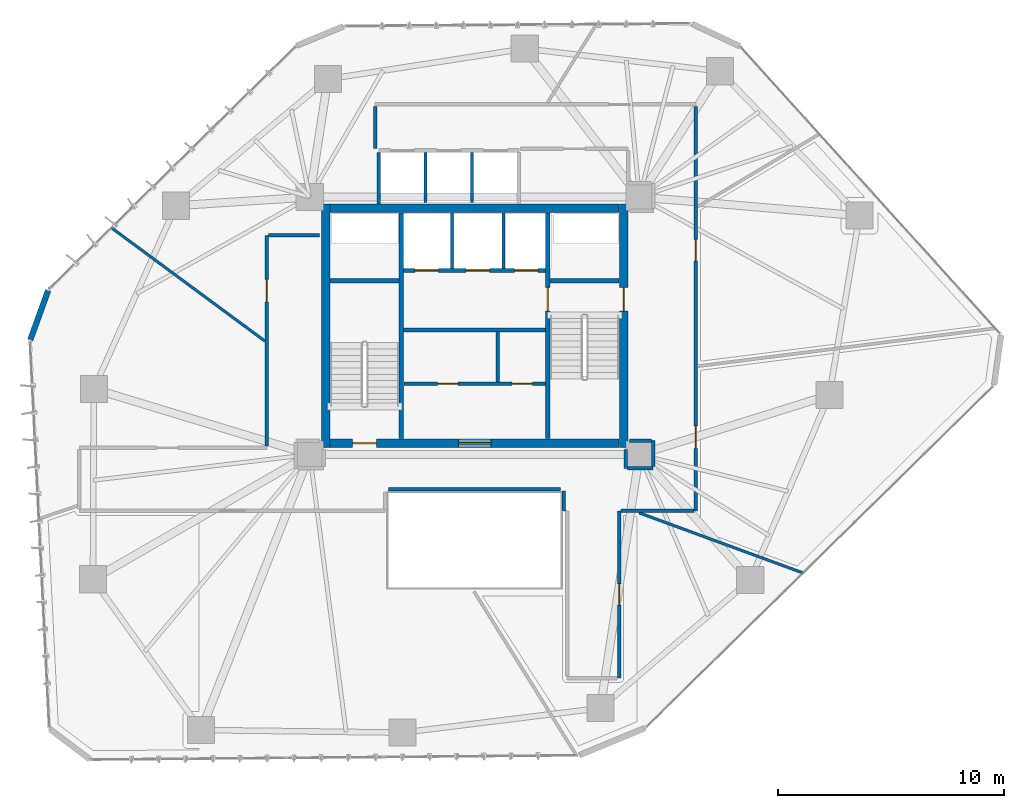
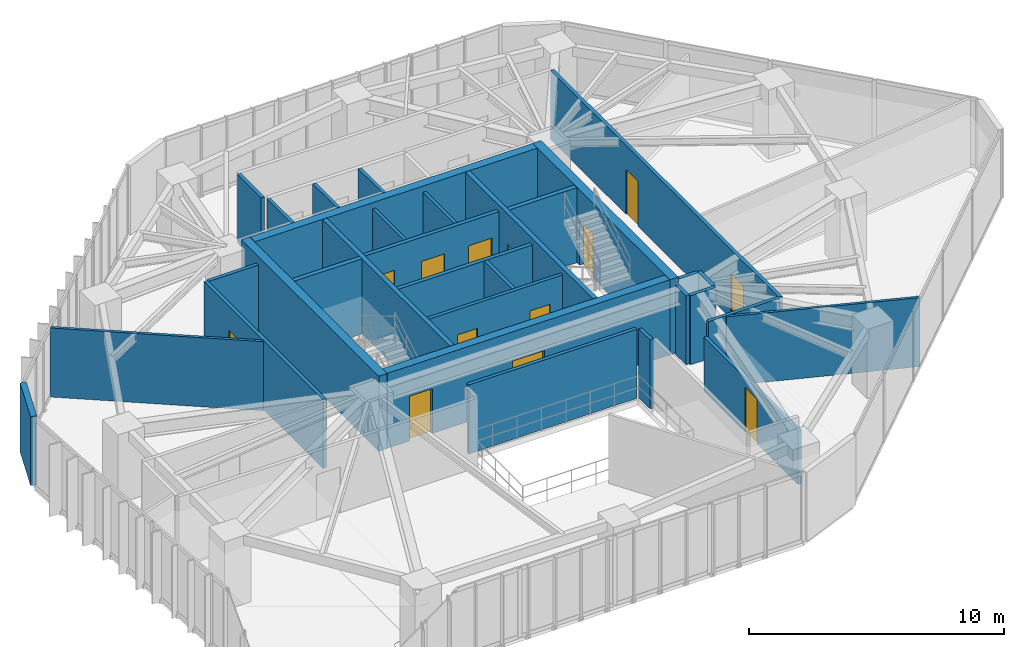
# One storey, part 18 of 21: 32 walls, 13 doors, 13 openings.
"""IFC4 building model written with IfcOpenShell, lengths in metres."""

from ifc_helpers import new_model, si_unit, direction, frame, frame_2d, origin, place, context, subcontext, project, spatial, rectangle, extrude, source, transform, mapped, material, layer, layer_set, type_object, type_shapes, element, fill, save


model = new_model("IFC4")

# Units and contexts
model_context = context("Model", 3, precision=1e-05, world=origin(), true_north=direction((0.0, 1.0)))
body_context = subcontext(model_context, "Body", "Model", "MODEL_VIEW")
ifc_project = project(units=[si_unit("LENGTHUNIT", "METRE"), si_unit("AREAUNIT", "SQUARE_METRE"), si_unit("VOLUMEUNIT", "CUBIC_METRE"), si_unit("PLANEANGLEUNIT", "RADIAN"), si_unit("MASSUNIT", "GRAM", prefix="KILO")], contexts=[model_context])

# Site, building, storey
site_placement = place(None, origin())
site = spatial("IfcSite", under=ifc_project, at=site_placement, CompositionType="ELEMENT")
building_placement = place(site_placement, origin())
building = spatial("IfcBuilding", under=site, at=building_placement, Name="Talar Marvaseh", CompositionType="ELEMENT")
storey_placement = place(building_placement, frame((0.0, 0.0, 93.0)))
storey = spatial("IfcBuildingStorey", under=building, at=storey_placement, Name="L23", CompositionType="ELEMENT", Elevation=93.0)

# Wall
ifc_material_1 = material(Name="Precast concrete C45/55", Category="concrete")
ifc_layer_1 = layer(ifc_material_1, 0.2548828125)
ifc_layer_set_1 = layer_set([ifc_layer_1], Name="Precast concrete C45/55")
wall_type_1 = type_object("IfcWallType", Name="Chamfered Hexagonal Corner Pier Wall Z2 255", PredefinedType="SOLIDWALL", material=ifc_layer_set_1)
wall_1_placement = place(storey_placement, frame((6.320556640625, 30.56884765625, 0.0), z_axis=(0.0, 0.0, 1.0), x_axis=(0.339908435663, 0.940458534634, 0.0)))
element("IfcWall", 1, at=wall_1_placement, inside=storey, type_object=wall_type_1, Name="L23 Chamfered Corner Limestone Pier 2", PredefinedType="SOLIDWALL", context=body_context, shape_type="SweptSolid", body=[
    extrude(rectangle(XDim=2.3408203125, YDim=0.2548828125, at=frame_2d((1.17041015625, 0.0))), origin(), (0.0, 0.0, 1.0), 3.31005859375),
])

# Wall, openings, doors
ifc_material_2 = material(Name="Gypsum Board Partition Assembly")
ifc_layer_2 = layer(ifc_material_2, 0.155029296875)
ifc_layer_set_2 = layer_set([ifc_layer_2], Name="Gypsum Board Partition Assembly")
wall_type_2 = type_object("IfcWallType", Name="Corridor Fire-Rated Acoustic Partition 155", PredefinedType="PARTITIONING", material=ifc_layer_set_2)
wall_2_placement = place(storey_placement, frame((22.865966796875, 28.639892578125, 0.0), z_axis=(0.0, 0.0, 1.0), x_axis=(1.0, 0.0, 0.0)))
wall_2 = element("IfcWall", 2, at=wall_2_placement, inside=storey, type_object=wall_type_2, Name="L23 Core BOH Partition", PredefinedType="PARTITIONING", context=body_context, shape_type="SweptSolid", body=[
    extrude(rectangle(XDim=6.26806640625, YDim=0.155029296875, at=frame_2d((3.134033203125, 0.0))), origin(), (0.0, 0.0, 1.0), 3.31005859375),
])
opening_1_placement = place(wall_2_placement, frame((1.5, 0.0, 0.0)))
opening_1 = element("IfcOpeningElement", 3, at=opening_1_placement, cuts=wall_2, Name="Opening DR-BOH090", PredefinedType="OPENING", context=body_context, shape_type="SweptSolid", body=[
    extrude(rectangle(XDim=0.89990234375, YDim=2.10009765625, at=frame_2d((0.449951171875, 1.050048828125))), frame((0.0, 0.08740234375, 0.0), z_axis=(0.0, -1.0, 0.0), x_axis=(1.0, 0.0, 0.0)), (0.0, 0.0, 1.0), 0.175048828125),
])
opening_2_placement = place(wall_2_placement, frame((4.800048828125, 0.0, 0.0)))
opening_2 = element("IfcOpeningElement", 4, at=opening_2_placement, cuts=wall_2, Name="Opening DR-BOH090", PredefinedType="OPENING", context=body_context, shape_type="SweptSolid", body=[
    extrude(rectangle(XDim=0.89990234375, YDim=2.10009765625, at=frame_2d((0.449951171875, 1.050048828125))), frame((0.0, 0.08740234375, 0.0), z_axis=(0.0, -1.0, 0.0), x_axis=(1.0, 0.0, 0.0)), (0.0, 0.0, 1.0), 0.175048828125),
])
ifc_material_3 = material(Name="Fire-Rated Steel Door Leaf", Category="steel")
door_type_1 = type_object("IfcDoorType", Name="Core Back-of-House Service Door 900x2100", OperationType="NOTDEFINED", PredefinedType="DOOR", material=ifc_material_3)
shared_shape_1 = source(origin(), body_context, "Body", "SweptSolid", [
    extrude(rectangle(XDim=0.89990234375, YDim=2.10009765625, at=frame_2d((0.449951171875, 1.050048828125))), frame((0.0, 0.02490234375, 0.0), z_axis=(0.0, -1.0, 0.0), x_axis=(1.0, 0.0, 0.0)), (0.0, 0.0, 1.0), 0.050048828125),
])
type_shapes(door_type_1, [shared_shape_1])
door_1_placement = place(opening_1_placement, origin())
door_1 = element("IfcDoor", 5, at=door_1_placement, inside=storey, type_object=door_type_1, Name="L23 Plant Core Comms Switch Room Door", OperationType="SINGLE_SWING_LEFT", OverallHeight=2.10009765625, OverallWidth=0.89990234375, PredefinedType="DOOR", context=body_context, shape_type="MappedRepresentation", body=[
    mapped(shared_shape_1, transform((0.0, 0.0, 0.0), x_axis=(1.0, 0.0, 0.0), y_axis=(0.0, 1.0, 0.0), z_axis=(0.0, 0.0, 1.0), scale=1.0)),
])
fill(opening_1, door_1)
door_2_placement = place(opening_2_placement, origin())
door_2 = element("IfcDoor", 6, at=door_2_placement, inside=storey, type_object=door_type_1, Name="L23 Cleaner Cupboard Door", OperationType="SINGLE_SWING_RIGHT", OverallHeight=2.10009765625, OverallWidth=0.89990234375, PredefinedType="DOOR", context=body_context, shape_type="MappedRepresentation", body=[
    mapped(shared_shape_1, transform((0.0, 0.0, 0.0), x_axis=(1.0, 0.0, 0.0), y_axis=(0.0, 1.0, 0.0), z_axis=(0.0, 0.0, 1.0), scale=1.0)),
])
fill(opening_2, door_2)

# Wall
wall_3_placement = place(storey_placement, frame((27.02001953125, 28.719970703125, 0.0), z_axis=(0.0, 0.0, 1.0), x_axis=(0.0, 1.0, 0.0)))
element("IfcWall", 7, at=wall_3_placement, inside=storey, type_object=wall_type_2, Name="L23 Core BOH Partition", PredefinedType="PARTITIONING", context=body_context, shape_type="SweptSolid", body=[
    extrude(rectangle(XDim=2.219970703125, YDim=0.155029296875, at=frame_2d((1.10986328125, 0.0))), origin(), (0.0, 0.0, 1.0), 3.31005859375),
])

# Wall, opening, door
wall_4_placement = place(storey_placement, frame((16.800048828125, 25.883544921875, 0.0), z_axis=(0.0, 0.0, 1.0), x_axis=(0.0, 1.0, 0.0)))
wall_4 = element("IfcWall", 8, at=wall_4_placement, inside=storey, type_object=wall_type_2, Name="L23 Interior Partition Wall", PredefinedType="PARTITIONING", context=body_context, shape_type="SweptSolid", body=[
    extrude(rectangle(XDim=9.31640625, YDim=0.155029296875, at=frame_2d((4.658203125, 0.0))), origin(), (0.0, 0.0, 1.0), 3.31005859375),
])
opening_3_placement = place(wall_4_placement, frame((6.374755859375, 0.0, 0.0)))
opening_3 = element("IfcOpeningElement", 9, at=opening_3_placement, cuts=wall_4, Name="Opening DR-RM100", PredefinedType="OPENING", context=body_context, shape_type="SweptSolid", body=[
    extrude(rectangle(XDim=1.0, YDim=2.14990234375, at=frame_2d((0.5, 1.074951171875))), frame((0.0, 0.08740234375, 0.0), z_axis=(0.0, -1.0, 0.0), x_axis=(1.0, 0.0, 0.0)), (0.0, 0.0, 1.0), 0.175048828125),
])
ifc_material_4 = material(Name="Acoustic Engineered Oak Timber", Category="wood")
door_type_2 = type_object("IfcDoorType", Name="Corridor Fire-Rated Gallery Door 1000x2150", OperationType="NOTDEFINED", PredefinedType="DOOR", material=ifc_material_4)
shared_shape_2 = source(origin(), body_context, "Body", "SweptSolid", [
    extrude(rectangle(XDim=1.0, YDim=2.14990234375, at=frame_2d((0.5, 1.074951171875))), frame((0.0, 0.02490234375, 0.0), z_axis=(0.0, -1.0, 0.0), x_axis=(1.0, 0.0, 0.0)), (0.0, 0.0, 1.0), 0.050048828125),
])
type_shapes(door_type_2, [shared_shape_2])
door_3_placement = place(opening_3_placement, origin())
door_3 = element("IfcDoor", 10, at=door_3_placement, inside=storey, type_object=door_type_2, Name="L23 Chamber Recital Salon Door", OperationType="SINGLE_SWING_RIGHT", OverallHeight=2.14990234375, OverallWidth=1.0, PredefinedType="DOOR", context=body_context, shape_type="MappedRepresentation", body=[
    mapped(shared_shape_2, transform((0.0, 0.0, 0.0), x_axis=(1.0, 0.0, 0.0), y_axis=(0.0, 1.0, 0.0), z_axis=(0.0, 0.0, 1.0), scale=1.0)),
])
fill(opening_3, door_3)

# Wall, openings, doors
wall_5_placement = place(storey_placement, frame((35.800048828125, 40.91650390625, 0.0), z_axis=(0.0, 0.0, 1.0), x_axis=(0.0, -1.0, 0.0)))
wall_5 = element("IfcWall", 11, at=wall_5_placement, inside=storey, type_object=wall_type_2, Name="L23 Interior Partition Wall", PredefinedType="PARTITIONING", context=body_context, shape_type="SweptSolid", body=[
    extrude(rectangle(XDim=17.91650390625, YDim=0.155029296875, at=frame_2d((8.958251953125, 0.0))), origin(), (0.0, 0.0, 1.0), 3.31005859375),
])
opening_4_placement = place(wall_5_placement, frame((14.144287109375, 0.0, 0.0)))
opening_4 = element("IfcOpeningElement", 12, at=opening_4_placement, cuts=wall_5, Name="Opening DR-RM100", PredefinedType="OPENING", context=body_context, shape_type="SweptSolid", body=[
    extrude(rectangle(XDim=1.0, YDim=2.14990234375, at=frame_2d((0.5, 1.074951171875))), frame((0.0, 0.08740234375, 0.0), z_axis=(0.0, -1.0, 0.0), x_axis=(1.0, 0.0, 0.0)), (0.0, 0.0, 1.0), 0.175048828125),
])
opening_5_placement = place(wall_5_placement, frame((5.900146484375, 0.0, 0.0)))
opening_5 = element("IfcOpeningElement", 13, at=opening_5_placement, cuts=wall_5, Name="Opening DR-WC095", PredefinedType="OPENING", context=body_context, shape_type="SweptSolid", body=[
    extrude(rectangle(XDim=0.949951171875, YDim=2.14990234375, at=frame_2d((0.47509765625, 1.074951171875))), frame((0.0, 0.08740234375, 0.0), z_axis=(0.0, -1.0, 0.0), x_axis=(1.0, 0.0, 0.0)), (0.0, 0.0, 1.0), 0.175048828125),
])
door_type_3 = type_object("IfcDoorType", Name="Washroom and Service Room Door 950x2150", OperationType="NOTDEFINED", PredefinedType="DOOR", material=ifc_material_4)
shared_shape_3 = source(origin(), body_context, "Body", "SweptSolid", [
    extrude(rectangle(XDim=0.949951171875, YDim=2.14990234375, at=frame_2d((0.47509765625, 1.074951171875))), frame((0.0, 0.02490234375, 0.0), z_axis=(0.0, -1.0, 0.0), x_axis=(1.0, 0.0, 0.0)), (0.0, 0.0, 1.0), 0.050048828125),
])
type_shapes(door_type_3, [shared_shape_3])
door_4_placement = place(opening_5_placement, origin())
door_4 = element("IfcDoor", 14, at=door_4_placement, inside=storey, type_object=door_type_3, Name="L23 Scholars' Servery Pantry Door", OperationType="SINGLE_SWING_LEFT", OverallHeight=2.14990234375, OverallWidth=0.949951171875, PredefinedType="DOOR", context=body_context, shape_type="MappedRepresentation", body=[
    mapped(shared_shape_3, transform((0.0, 0.0, 0.0), x_axis=(1.0, 0.0, 0.0), y_axis=(0.0, 1.0, 0.0), z_axis=(0.0, 0.0, 1.0), scale=1.0)),
])
fill(opening_5, door_4)
door_5_placement = place(opening_4_placement, origin())
door_5 = element("IfcDoor", 15, at=door_5_placement, inside=storey, type_object=door_type_2, Name="L23 Main Reading Room Door", OperationType="SINGLE_SWING_RIGHT", OverallHeight=2.14990234375, OverallWidth=1.0, PredefinedType="DOOR", context=body_context, shape_type="MappedRepresentation", body=[
    mapped(shared_shape_2, transform((0.0, 0.0, 0.0), x_axis=(1.0, 0.0, 0.0), y_axis=(0.0, 1.0, 0.0), z_axis=(0.0, 0.0, 1.0), scale=1.0)),
])
fill(opening_4, door_5)

# Wall, opening, door
wall_6_placement = place(storey_placement, frame((32.39990234375, 23.0, 0.0), z_axis=(0.0, 0.0, 1.0), x_axis=(0.0, -1.0, 0.0)))
wall_6 = element("IfcWall", 16, at=wall_6_placement, inside=storey, type_object=wall_type_2, Name="L23 Interior Partition Wall", PredefinedType="PARTITIONING", context=body_context, shape_type="SweptSolid", body=[
    extrude(rectangle(XDim=7.39990234375, YDim=0.155029296875, at=frame_2d((3.699951171875, 0.0))), origin(), (0.0, 0.0, 1.0), 2.590087890625),
])
opening_6_placement = place(wall_6_placement, frame((3.22509765625, 0.0, 0.0)))
opening_6 = element("IfcOpeningElement", 17, at=opening_6_placement, cuts=wall_6, Name="Opening DR-WC095", PredefinedType="OPENING", context=body_context, shape_type="SweptSolid", body=[
    extrude(rectangle(XDim=0.949951171875, YDim=2.14990234375, at=frame_2d((0.47509765625, 1.074951171875))), frame((0.0, 0.08740234375, 0.0), z_axis=(0.0, -1.0, 0.0), x_axis=(1.0, 0.0, 0.0)), (0.0, 0.0, 1.0), 0.175048828125),
])
door_6_placement = place(opening_6_placement, origin())
door_6 = element("IfcDoor", 18, at=door_6_placement, inside=storey, type_object=door_type_3, Name="L23 Hospitality Tea Pantry Door", OperationType="SINGLE_SWING_LEFT", OverallHeight=2.14990234375, OverallWidth=0.949951171875, PredefinedType="DOOR", context=body_context, shape_type="MappedRepresentation", body=[
    mapped(shared_shape_3, transform((0.0, 0.0, 0.0), x_axis=(1.0, 0.0, 0.0), y_axis=(0.0, 1.0, 0.0), z_axis=(0.0, 0.0, 1.0), scale=1.0)),
])
fill(opening_6, door_6)

# Walls
wall_7_placement = place(storey_placement, frame((29.800048828125, 23.9599609375, 0.0), z_axis=(0.0, 0.0, 1.0), x_axis=(-0.999999995375, -9.617234e-05, 0.0)))
element("IfcWall", 19, at=wall_7_placement, inside=storey, type_object=wall_type_2, Name="L23 Interior Partition Wall", PredefinedType="PARTITIONING", context=body_context, shape_type="SweptSolid", body=[
    extrude(rectangle(XDim=7.61572265625, YDim=0.155029296875, at=frame_2d((3.807861328125, 0.0))), origin(), (0.0, 0.0, 1.0), 3.31005859375),
])
wall_8_placement = place(storey_placement, frame((16.883544921875, 35.199951171875, 0.0), z_axis=(0.0, 0.0, 1.0), x_axis=(1.0, 0.0, 0.0)))
element("IfcWall", 20, at=wall_8_placement, inside=storey, type_object=wall_type_2, Name="L23 Interior Partition Wall", PredefinedType="PARTITIONING", context=body_context, shape_type="SweptSolid", body=[
    extrude(rectangle(XDim=2.246337890625, YDim=0.155029296875, at=frame_2d((1.123046875, 0.0))), origin(), (0.0, 0.0, 1.0), 3.31005859375),
])
wall_9_placement = place(storey_placement, frame((32.68505859375, 25.72998046875, 0.0), z_axis=(0.0, 0.0, 1.0), x_axis=(0.006382231486, -0.999979633353, 0.0)))
element("IfcWall", 21, at=wall_9_placement, inside=storey, type_object=wall_type_2, Name="L23 Interior Partition Wall", PredefinedType="PARTITIONING", context=body_context, shape_type="SweptSolid", body=[
    extrude(rectangle(XDim=0.841552734375, YDim=0.155029296875, at=frame_2d((0.4208984375, 0.0))), origin(), (0.0, 0.0, 1.0), 3.31005859375),
])
wall_10_placement = place(storey_placement, frame((32.77392578125, 24.88818359375, 0.0), z_axis=(0.0, 0.0, 1.0), x_axis=(0.999999164303, -0.001292823742, 0.0)))
element("IfcWall", 22, at=wall_10_placement, inside=storey, type_object=wall_type_2, Name="L23 Interior Partition Wall", PredefinedType="PARTITIONING", context=body_context, shape_type="SweptSolid", body=[
    extrude(rectangle(XDim=1.133056640625, YDim=0.155029296875, at=frame_2d((0.56640625, 0.0))), origin(), (0.0, 0.0, 1.0), 3.31005859375),
])
wall_11_placement = place(storey_placement, frame((33.907470703125, 24.97021484375, 0.0), z_axis=(0.0, 0.0, 1.0), x_axis=(0.003642572792, 0.99999336581, 0.0)))
element("IfcWall", 23, at=wall_11_placement, inside=storey, type_object=wall_type_2, Name="L23 Interior Partition Wall", PredefinedType="PARTITIONING", context=body_context, shape_type="SweptSolid", body=[
    extrude(rectangle(XDim=1.139404296875, YDim=0.155029296875, at=frame_2d((0.56982421875, 0.0))), origin(), (0.0, 0.0, 1.0), 3.31005859375),
])
wall_12_placement = place(storey_placement, frame((33.828125, 26.110107421875, 0.0), z_axis=(0.0, 0.0, 1.0), x_axis=(-0.999987011364, 0.005096773758, 0.0)))
element("IfcWall", 24, at=wall_12_placement, inside=storey, type_object=wall_type_2, Name="L23 Interior Partition Wall", PredefinedType="PARTITIONING", context=body_context, shape_type="SweptSolid", body=[
    extrude(rectangle(XDim=0.9580078125, YDim=0.155029296875, at=frame_2d((0.47900390625, 0.0))), origin(), (0.0, 0.0, 1.0), 3.31005859375),
])
wall_13_placement = place(storey_placement, frame((21.60009765625, 39.0400390625, 0.0), z_axis=(0.0, 0.0, 1.0), x_axis=(0.0, 1.0, 0.0)))
element("IfcWall", 25, at=wall_13_placement, inside=storey, type_object=wall_type_2, Name="L23 Interior Partition Wall", PredefinedType="PARTITIONING", context=body_context, shape_type="SweptSolid", body=[
    extrude(rectangle(XDim=1.87646484375, YDim=0.155029296875, at=frame_2d((0.938232421875, 0.0))), origin(), (0.0, 0.0, 1.0), 3.31005859375),
])
wall_14_placement = place(storey_placement, frame((35.716552734375, 23.0, 0.0), z_axis=(0.0, 0.0, 1.0), x_axis=(-1.0, 0.0, 0.0)))
element("IfcWall", 26, at=wall_14_placement, inside=storey, type_object=wall_type_2, Name="L23 Interior Partition Wall", PredefinedType="PARTITIONING", context=body_context, shape_type="SweptSolid", body=[
    extrude(rectangle(XDim=3.233154296875, YDim=0.155029296875, at=frame_2d((1.61669921875, 0.0))), origin(), (0.0, 0.0, 1.0), 3.31005859375),
])
wall_15_placement = place(storey_placement, frame((29.9599609375, 23.0, 0.0), z_axis=(0.0, 0.0, 1.0), x_axis=(-0.021467444279, 0.999769547864, 0.0)))
element("IfcWall", 27, at=wall_15_placement, inside=storey, type_object=wall_type_2, Name="L23 Interior Partition Wall", PredefinedType="PARTITIONING", context=body_context, shape_type="SweptSolid", body=[
    extrude(rectangle(XDim=0.875732421875, YDim=0.155029296875, at=frame_2d((0.43798828125, 0.0))), origin(), (0.0, 0.0, 1.0), 3.31005859375),
])
ifc_layer_3 = layer(ifc_material_2, 0.1201171875)
ifc_layer_set_3 = layer_set([ifc_layer_3], Name="Gypsum Board Partition Assembly")
wall_type_3 = type_object("IfcWallType", Name="Demountable Studio Room Partition 120", PredefinedType="PARTITIONING", material=ifc_layer_set_3)
wall_16_placement = place(storey_placement, frame((33.28759765625, 22.91650390625, 0.0), z_axis=(0.0, 0.0, 1.0), x_axis=(0.938849705609, -0.344327213965, 0.0)))
element("IfcWall", 28, at=wall_16_placement, inside=storey, type_object=wall_type_3, Name="L23 Interior Partition Wall", PredefinedType="PARTITIONING", context=body_context, shape_type="SweptSolid", body=[
    extrude(rectangle(XDim=7.710693359375, YDim=0.1201171875, at=frame_2d((3.85546875, 0.0))), origin(), (0.0, 0.0, 1.0), 3.31005859375),
])
wall_17_placement = place(storey_placement, frame((16.716552734375, 30.521484375, 0.0), z_axis=(0.0, 0.0, 1.0), x_axis=(-0.804563858728, 0.593866144202, 0.0)))
element("IfcWall", 29, at=wall_17_placement, inside=storey, type_object=wall_type_3, Name="L23 Interior Partition Wall", PredefinedType="PARTITIONING", context=body_context, shape_type="SweptSolid", body=[
    extrude(rectangle(XDim=8.423828125, YDim=0.1201171875, at=frame_2d((4.2119140625, 0.0))), origin(), (0.0, 0.0, 1.0), 3.31005859375),
])
ifc_layer_4 = layer(ifc_material_1, 0.14501953125)
ifc_layer_set_4 = layer_set([ifc_layer_4], Name="Precast concrete C45/55")
wall_type_4 = type_object("IfcWallType", Name="Fire-Rated Lift Divider Wall 145", PredefinedType="SOLIDWALL", material=ifc_layer_set_4)
for number, where, z_axis, x_axis, name in (
    (30, (25.0, 33.743408203125, 0.0), (0.0, 0.0, 1.0), (0.0, 1.0, 0.0), "L23 FFL-1/FFL-2 Divider"),
    (31, (27.280029296875, 33.743408203125, 0.0), (0.0, 0.0, 1.0), (0.0, 1.0, 0.0), "L23 FFL-2/SVL-1 Divider"),
):
    element("IfcWall", number, at=place(storey_placement, frame(where, z_axis=z_axis, x_axis=x_axis)), inside=storey, type_object=wall_type_4, Name=name, PredefinedType="SOLIDWALL", context=body_context, shape_type="SweptSolid", body=[
        extrude(rectangle(XDim=2.45654296875, YDim=0.14501953125, at=frame_2d((1.228271484375, 0.0))), origin(), (0.0, 0.0, 1.0), 3.31005859375),
    ])
wall_18_placement = place(storey_placement, frame((21.760009765625, 36.60009765625, 0.0), z_axis=(0.0, 0.0, 1.0), x_axis=(0.0, 1.0, 0.0)))
element("IfcWall", 32, at=wall_18_placement, inside=storey, type_object=wall_type_4, Name="L23 Low-Rise Bank West Wall", PredefinedType="SOLIDWALL", context=body_context, shape_type="SweptSolid", body=[
    extrude(rectangle(XDim=2.266357421875, YDim=0.14501953125, at=frame_2d((1.13330078125, 0.0))), origin(), (0.0, 0.0, 1.0), 3.31005859375),
])
for number, where, z_axis, x_axis, name in (
    (33, (23.830078125, 36.659912109375, 0.0), (0.0, 0.0, 1.0), (0.0, 1.0, 0.0), "L23 PL-L1/PL-L2 Divider"),
    (34, (25.889892578125, 36.659912109375, 0.0), (0.0, 0.0, 1.0), (0.0, 1.0, 0.0), "L23 PL-L2/PL-L3 Divider"),
):
    element("IfcWall", number, at=place(storey_placement, frame(where, z_axis=z_axis, x_axis=x_axis)), inside=storey, type_object=wall_type_4, Name=name, PredefinedType="SOLIDWALL", context=body_context, shape_type="SweptSolid", body=[
        extrude(rectangle(XDim=2.20654296875, YDim=0.14501953125, at=frame_2d((1.103271484375, 0.0))), origin(), (0.0, 0.0, 1.0), 3.31005859375),
    ])

# Wall, openings, doors
ifc_layer_5 = layer(ifc_material_1, 0.175048828125)
ifc_layer_set_5 = layer_set([ifc_layer_5], Name="Precast concrete C45/55")
wall_type_5 = type_object("IfcWallType", Name="Fire-Rated Lift Hoistway Enclosure Wall 175", PredefinedType="SOLIDWALL", material=ifc_layer_set_5)
wall_19_placement = place(storey_placement, frame((22.860107421875, 33.64990234375, 0.0), z_axis=(0.0, 0.0, 1.0), x_axis=(1.0, 0.0, 0.0)))
wall_19 = element("IfcWall", 35, at=wall_19_placement, inside=storey, type_object=wall_type_5, Name="L23 Firefighting and Service Lift Front Wall", PredefinedType="SOLIDWALL", context=body_context, shape_type="SweptSolid", body=[
    extrude(rectangle(XDim=6.27978515625, YDim=0.175048828125, at=frame_2d((3.139892578125, 0.0))), origin(), (0.0, 0.0, 1.0), 3.31005859375),
])
opening_7_placement = place(wall_19_placement, frame((0.5, 0.0, 0.0)))
opening_7 = element("IfcOpeningElement", 36, at=opening_7_placement, cuts=wall_19, Name="Opening LD-FF1", PredefinedType="OPENING", context=body_context, shape_type="SweptSolid", body=[
    extrude(rectangle(XDim=1.050048828125, YDim=2.14990234375, at=frame_2d((0.52490234375, 1.074951171875))), frame((0.0, 0.09765625, 0.0), z_axis=(0.0, -1.0, 0.0), x_axis=(1.0, 0.0, 0.0)), (0.0, 0.0, 1.0), 0.195068359375),
])
opening_8_placement = place(wall_19_placement, frame((2.760009765625, 0.0, 0.0)))
opening_8 = element("IfcOpeningElement", 37, at=opening_8_placement, cuts=wall_19, Name="Opening LD-FF2", PredefinedType="OPENING", context=body_context, shape_type="SweptSolid", body=[
    extrude(rectangle(XDim=1.050048828125, YDim=2.14990234375, at=frame_2d((0.52490234375, 1.074951171875))), frame((0.0, 0.09765625, 0.0), z_axis=(0.0, -1.0, 0.0), x_axis=(1.0, 0.0, 0.0)), (0.0, 0.0, 1.0), 0.195068359375),
])
opening_9_placement = place(wall_19_placement, frame((4.89990234375, 0.0, 0.0)))
opening_9 = element("IfcOpeningElement", 38, at=opening_9_placement, cuts=wall_19, Name="Opening LD-SV1", PredefinedType="OPENING", context=body_context, shape_type="SweptSolid", body=[
    extrude(rectangle(XDim=1.050048828125, YDim=2.14990234375, at=frame_2d((0.52490234375, 1.074951171875))), frame((0.0, 0.09765625, 0.0), z_axis=(0.0, -1.0, 0.0), x_axis=(1.0, 0.0, 0.0)), (0.0, 0.0, 1.0), 0.195068359375),
])
ifc_material_5 = material(Name="Stainless Steel Grade 316", Category="steel")
door_type_4 = type_object("IfcDoorType", Name="Automatic Sliding Lift Landing Door 1050x2150", OperationType="NOTDEFINED", PredefinedType="DOOR", material=ifc_material_5)
shared_shape_4 = source(origin(), body_context, "Body", "SweptSolid", [
    extrude(rectangle(XDim=1.050048828125, YDim=2.14990234375, at=frame_2d((0.52490234375, 1.074951171875))), frame((0.0, 0.02490234375, 0.0), z_axis=(0.0, -1.0, 0.0), x_axis=(1.0, 0.0, 0.0)), (0.0, 0.0, 1.0), 0.050048828125),
])
type_shapes(door_type_4, [shared_shape_4])
door_7_placement = place(opening_7_placement, origin())
door_7 = element("IfcDoor", 39, at=door_7_placement, inside=storey, type_object=door_type_4, Name="L23 Lift FFL-1 Sliding Landing Door", OperationType="SLIDING_TO_LEFT", OverallHeight=2.14990234375, OverallWidth=1.050048828125, PredefinedType="DOOR", context=body_context, shape_type="MappedRepresentation", body=[
    mapped(shared_shape_4, transform((0.0, 0.0, 0.0), x_axis=(1.0, 0.0, 0.0), y_axis=(0.0, 1.0, 0.0), z_axis=(0.0, 0.0, 1.0), scale=1.0)),
])
fill(opening_7, door_7)
door_8_placement = place(opening_8_placement, origin())
door_8 = element("IfcDoor", 40, at=door_8_placement, inside=storey, type_object=door_type_4, Name="L23 Lift FFL-2 Sliding Landing Door", OperationType="SLIDING_TO_LEFT", OverallHeight=2.14990234375, OverallWidth=1.050048828125, PredefinedType="DOOR", context=body_context, shape_type="MappedRepresentation", body=[
    mapped(shared_shape_4, transform((0.0, 0.0, 0.0), x_axis=(1.0, 0.0, 0.0), y_axis=(0.0, 1.0, 0.0), z_axis=(0.0, 0.0, 1.0), scale=1.0)),
])
fill(opening_8, door_8)
door_9_placement = place(opening_9_placement, origin())
door_9 = element("IfcDoor", 41, at=door_9_placement, inside=storey, type_object=door_type_4, Name="L23 Lift SVL-1 Sliding Landing Door", OperationType="SLIDING_TO_LEFT", OverallHeight=2.14990234375, OverallWidth=1.050048828125, PredefinedType="DOOR", context=body_context, shape_type="MappedRepresentation", body=[
    mapped(shared_shape_4, transform((0.0, 0.0, 0.0), x_axis=(1.0, 0.0, 0.0), y_axis=(0.0, 1.0, 0.0), z_axis=(0.0, 0.0, 1.0), scale=1.0)),
])
fill(opening_9, door_9)

# Walls
wall_20_placement = place(storey_placement, frame((22.860107421875, 31.02001953125, 0.0), z_axis=(0.0, 0.0, 1.0), x_axis=(1.0, 0.0, 0.0)))
element("IfcWall", 42, at=wall_20_placement, inside=storey, type_object=wall_type_5, Name="L23 Firefighting Lobby South Smoke Wall", PredefinedType="SOLIDWALL", context=body_context, shape_type="SweptSolid", body=[
    extrude(rectangle(XDim=6.27978515625, YDim=0.175048828125, at=frame_2d((3.139892578125, 0.0))), origin(), (0.0, 0.0, 1.0), 3.31005859375),
])
ifc_material_6 = material(Name="Concrete C60/75", Category="concrete")
ifc_layer_6 = layer(ifc_material_6, 0.3798828125)
ifc_layer_set_6 = layer_set([ifc_layer_6], Name="Concrete C60/75")
wall_type_6 = type_object("IfcWallType", Name="Mid Core Reinforced Concrete Shear Wall 380", PredefinedType="SHEAR", material=ifc_layer_set_6)
wall_21_placement = place(storey_placement, frame((19.39990234375, 25.800048828125, 0.0), z_axis=(0.0, 0.0, 1.0), x_axis=(0.0, 1.0, 0.0)))
element("IfcWall", 43, at=wall_21_placement, inside=storey, type_object=wall_type_6, Name="L23 West Core Shear Wall", PredefinedType="SHEAR", context=body_context, shape_type="SweptSolid", body=[
    extrude(rectangle(XDim=10.800048828125, YDim=0.3798828125, at=frame_2d((5.39990234375, 0.0))), origin(), (0.0, 0.0, 1.0), 3.60009765625),
])

# Wall, opening, door
wall_22_placement = place(storey_placement, frame((32.60009765625, 36.60009765625, 0.0), z_axis=(0.0, 0.0, 1.0), x_axis=(0.0, -1.0, 0.0)))
wall_22 = element("IfcWall", 44, at=wall_22_placement, inside=storey, type_object=wall_type_6, Name="L23 East Core Shear Wall", PredefinedType="SHEAR", context=body_context, shape_type="SweptSolid", body=[
    extrude(rectangle(XDim=10.800048828125, YDim=0.3798828125, at=frame_2d((5.39990234375, 0.0))), origin(), (0.0, 0.0, 1.0), 3.60009765625),
])
opening_10_placement = place(wall_22_placement, frame((3.699951171875, 0.0, 0.0)))
opening_10 = element("IfcOpeningElement", 45, at=opening_10_placement, cuts=wall_22, Name="Opening DR-ST105", PredefinedType="OPENING", context=body_context, shape_type="SweptSolid", body=[
    extrude(rectangle(XDim=1.050048828125, YDim=2.14990234375, at=frame_2d((0.52490234375, 1.074951171875))), frame((0.0, 0.199951171875, 0.0), z_axis=(0.0, -1.0, 0.0), x_axis=(1.0, 0.0, 0.0)), (0.0, 0.0, 1.0), 0.39990234375),
])
door_type_5 = type_object("IfcDoorType", Name="Protected Exit Stair Fire Door 1050x2150", OperationType="NOTDEFINED", PredefinedType="DOOR", material=ifc_material_3)
shared_shape_5 = source(origin(), body_context, "Body", "SweptSolid", [
    extrude(rectangle(XDim=1.050048828125, YDim=2.14990234375, at=frame_2d((0.52490234375, 1.074951171875))), frame((0.0, 0.02490234375, 0.0), z_axis=(0.0, -1.0, 0.0), x_axis=(1.0, 0.0, 0.0)), (0.0, 0.0, 1.0), 0.050048828125),
])
type_shapes(door_type_5, [shared_shape_5])
door_10_placement = place(opening_10_placement, origin())
door_10 = element("IfcDoor", 46, at=door_10_placement, inside=storey, type_object=door_type_5, Name="L23 Stair ST-2 Corridor Exit Door", OperationType="SINGLE_SWING_LEFT", OverallHeight=2.14990234375, OverallWidth=1.050048828125, PredefinedType="DOOR", context=body_context, shape_type="MappedRepresentation", body=[
    mapped(shared_shape_5, transform((0.0, 0.0, 0.0), x_axis=(1.0, 0.0, 0.0), y_axis=(0.0, 1.0, 0.0), z_axis=(0.0, 0.0, 1.0), scale=1.0)),
])
fill(opening_10, door_10)

# Wall
wall_23_placement = place(storey_placement, frame((19.60009765625, 36.39990234375, 0.0), z_axis=(0.0, 0.0, 1.0), x_axis=(1.0, 0.0, 0.0)))
element("IfcWall", 47, at=wall_23_placement, inside=storey, type_object=wall_type_6, Name="L23 North Core Shear Wall", PredefinedType="SHEAR", context=body_context, shape_type="SweptSolid", body=[
    extrude(rectangle(XDim=12.7998046875, YDim=0.3798828125, at=frame_2d((6.39990234375, 0.0))), origin(), (0.0, 0.0, 1.0), 3.60009765625),
])

# Wall, openings, doors
wall_24_placement = place(storey_placement, frame((32.39990234375, 26.0, 0.0), z_axis=(0.0, 0.0, 1.0), x_axis=(-1.0, 0.0, 0.0)))
wall_24 = element("IfcWall", 48, at=wall_24_placement, inside=storey, type_object=wall_type_6, Name="L23 South Core Shear Wall", PredefinedType="SHEAR", context=body_context, shape_type="SweptSolid", body=[
    extrude(rectangle(XDim=12.7998046875, YDim=0.3798828125, at=frame_2d((6.39990234375, 0.0))), origin(), (0.0, 0.0, 1.0), 3.60009765625),
])
opening_11_placement = place(wall_24_placement, frame((10.75, 0.0, 0.0)))
opening_11 = element("IfcOpeningElement", 49, at=opening_11_placement, cuts=wall_24, Name="Opening DR-ST105", PredefinedType="OPENING", context=body_context, shape_type="SweptSolid", body=[
    extrude(rectangle(XDim=1.050048828125, YDim=2.14990234375, at=frame_2d((0.52490234375, 1.074951171875))), frame((0.0, 0.199951171875, 0.0), z_axis=(0.0, -1.0, 0.0), x_axis=(1.0, 0.0, 0.0)), (0.0, 0.0, 1.0), 0.39990234375),
])
opening_12_placement = place(wall_24_placement, frame((5.669921875, 0.0, 0.0)))
opening_12 = element("IfcOpeningElement", 50, at=opening_12_placement, cuts=wall_24, Name="Opening DR-LBY145", PredefinedType="OPENING", context=body_context, shape_type="SweptSolid", body=[
    extrude(rectangle(XDim=1.449951171875, YDim=2.199951171875, at=frame_2d((0.72509765625, 1.10009765625))), frame((0.0, 0.199951171875, 0.0), z_axis=(0.0, -1.0, 0.0), x_axis=(1.0, 0.0, 0.0)), (0.0, 0.0, 1.0), 0.39990234375),
])
door_11_placement = place(opening_11_placement, origin())
door_11 = element("IfcDoor", 51, at=door_11_placement, inside=storey, type_object=door_type_5, Name="L23 Stair ST-1 Exit Door", OperationType="SINGLE_SWING_RIGHT", OverallHeight=2.14990234375, OverallWidth=1.050048828125, PredefinedType="DOOR", context=body_context, shape_type="MappedRepresentation", body=[
    mapped(shared_shape_5, transform((0.0, 0.0, 0.0), x_axis=(1.0, 0.0, 0.0), y_axis=(0.0, 1.0, 0.0), z_axis=(0.0, 0.0, 1.0), scale=1.0)),
])
fill(opening_11, door_11)
door_type_6 = type_object("IfcDoorType", Name="Core Lift Lobby Double Smoke Door 1450x2200", OperationType="NOTDEFINED", PredefinedType="DOOR", material=ifc_material_3)
shared_shape_6 = source(origin(), body_context, "Body", "SweptSolid", [
    extrude(rectangle(XDim=1.449951171875, YDim=2.199951171875, at=frame_2d((0.72509765625, 1.10009765625))), frame((0.0, 0.02490234375, 0.0), z_axis=(0.0, -1.0, 0.0), x_axis=(1.0, 0.0, 0.0)), (0.0, 0.0, 1.0), 0.050048828125),
])
type_shapes(door_type_6, [shared_shape_6])
door_12_placement = place(opening_12_placement, origin())
door_12 = element("IfcDoor", 52, at=door_12_placement, inside=storey, type_object=door_type_6, Name="L23 Passenger Lift Lobby Entrance Door", OperationType="DOUBLE_DOOR_SINGLE_SWING", OverallHeight=2.199951171875, OverallWidth=1.449951171875, PredefinedType="DOOR", context=body_context, shape_type="MappedRepresentation", body=[
    mapped(shared_shape_6, transform((0.0, 0.0, 0.0), x_axis=(1.0, 0.0, 0.0), y_axis=(0.0, 1.0, 0.0), z_axis=(0.0, 0.0, 1.0), scale=1.0)),
])
fill(opening_12, door_12)

# Wall
ifc_material_7 = material(Name="Concrete C50/60", Category="concrete")
ifc_layer_7 = layer(ifc_material_7, 0.199951171875)
ifc_layer_set_7 = layer_set([ifc_layer_7], Name="Concrete C50/60")
wall_type_7 = type_object("IfcWallType", Name="Stair Shaft Structural Concrete Shear Wall 200", PredefinedType="SHEAR", material=ifc_layer_set_7)
wall_25_placement = place(storey_placement, frame((22.760009765625, 26.199951171875, 0.0), z_axis=(0.0, 0.0, 1.0), x_axis=(0.0, 1.0, 0.0)))
element("IfcWall", 53, at=wall_25_placement, inside=storey, type_object=wall_type_7, Name="L23 Core West Stair Shear Wall", PredefinedType="SHEAR", context=body_context, shape_type="SweptSolid", body=[
    extrude(rectangle(XDim=10.0, YDim=0.199951171875, at=frame_2d((5.0, 0.0))), origin(), (0.0, 0.0, 1.0), 3.60009765625),
])

# Wall, opening, door
wall_26_placement = place(storey_placement, frame((29.239990234375, 26.199951171875, 0.0), z_axis=(0.0, 0.0, 1.0), x_axis=(0.0, 1.0, 0.0)))
wall_26 = element("IfcWall", 54, at=wall_26_placement, inside=storey, type_object=wall_type_7, Name="L23 Core East Stair Shear Wall", PredefinedType="SHEAR", context=body_context, shape_type="SweptSolid", body=[
    extrude(rectangle(XDim=10.0, YDim=0.199951171875, at=frame_2d((5.0, 0.0))), origin(), (0.0, 0.0, 1.0), 3.60009765625),
])
opening_13_placement = place(wall_26_placement, frame((5.64990234375, 0.0, 0.0)))
opening_13 = element("IfcOpeningElement", 55, at=opening_13_placement, cuts=wall_26, Name="Opening DR-ST105", PredefinedType="OPENING", context=body_context, shape_type="SweptSolid", body=[
    extrude(rectangle(XDim=1.050048828125, YDim=2.14990234375, at=frame_2d((0.52490234375, 1.074951171875))), frame((0.0, 0.10986328125, 0.0), z_axis=(0.0, -1.0, 0.0), x_axis=(1.0, 0.0, 0.0)), (0.0, 0.0, 1.0), 0.219970703125),
])
door_13_placement = place(opening_13_placement, origin())
door_13 = element("IfcDoor", 56, at=door_13_placement, inside=storey, type_object=door_type_5, Name="L23 Firefighting Lobby to Stair ST-2 Door", OperationType="SINGLE_SWING_LEFT", OverallHeight=2.14990234375, OverallWidth=1.050048828125, PredefinedType="DOOR", context=body_context, shape_type="MappedRepresentation", body=[
    mapped(shared_shape_5, transform((0.0, 0.0, 0.0), x_axis=(1.0, 0.0, 0.0), y_axis=(0.0, 1.0, 0.0), z_axis=(0.0, 0.0, 1.0), scale=1.0)),
])
fill(opening_13, door_13)

# Walls
for number, where, z_axis, x_axis, name in (
    (57, (19.60009765625, 33.199951171875, 0.0), (0.0, 0.0, 1.0), (1.0, 0.0, 0.0), "L23 Stair ST-1 North Shear Wall"),
    (58, (29.340087890625, 33.199951171875, 0.0), (0.0, 0.0, 1.0), (1.0, 0.0, 0.0), "L23 Stair ST-2 North Shear Wall"),
):
    element("IfcWall", number, at=place(storey_placement, frame(where, z_axis=z_axis, x_axis=x_axis)), inside=storey, type_object=wall_type_7, Name=name, PredefinedType="SHEAR", context=body_context, shape_type="SweptSolid", body=[
        extrude(rectangle(XDim=3.059814453125, YDim=0.199951171875, at=frame_2d((1.52978515625, 0.0))), origin(), (0.0, 0.0, 1.0), 3.60009765625),
    ])

save(model, "model.ifc")
